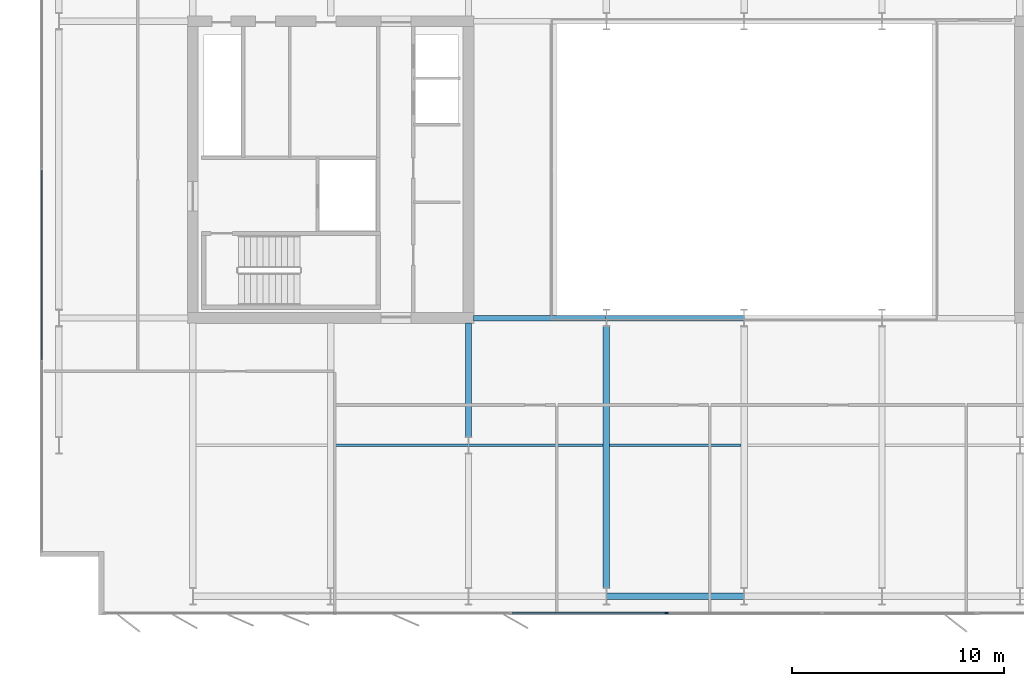
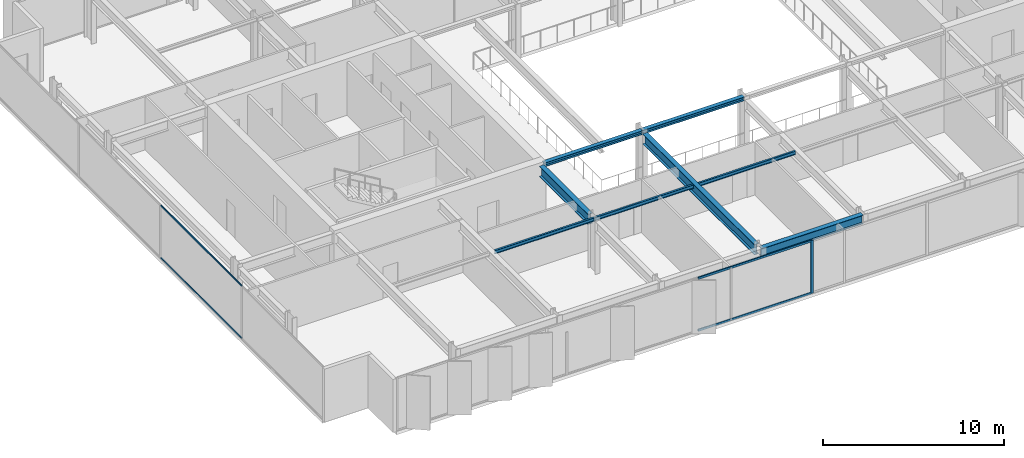
# One storey, part 4 of 23: 8 beams, 5 members, 2 elements without a shape of their own.
"""IFC4 building model written with IfcOpenShell, lengths in metres."""

from ifc_helpers import new_model, si_unit, direction, frame, origin, origin_2d, place, context, subcontext, project, spatial, rectangle, i_section, extrude, material, layer, layer_set, material_profile, profile_set, type_object, element, aggregate, save


model = new_model("IFC4")

# Units and contexts
model_context = context("Model", 3, precision=1e-05, world=origin(), true_north=direction((0.0, 1.0)))
body_context = subcontext(model_context, "Body", "Model", "MODEL_VIEW")
ifc_project = project(units=[si_unit("LENGTHUNIT", "METRE"), si_unit("AREAUNIT", "SQUARE_METRE"), si_unit("VOLUMEUNIT", "CUBIC_METRE"), si_unit("PLANEANGLEUNIT", "RADIAN"), si_unit("MASSUNIT", "GRAM", prefix="KILO")], contexts=[model_context])

# Site, building, storey
site_placement = place(None, origin())
site = spatial("IfcSite", under=ifc_project, at=site_placement, CompositionType="ELEMENT")
building_placement = place(site_placement, origin())
building = spatial("IfcBuilding", under=site, at=building_placement, Name="Putna Gate Headquarters", CompositionType="ELEMENT")
storey_placement = place(building_placement, frame((0.0, 0.0, 210.0)))
storey = spatial("IfcBuildingStorey", under=building, at=storey_placement, Name="L52", CompositionType="ELEMENT", Elevation=210.0)

# Beams
ifc_material_1 = material(Name="Steel S355J2", Category="steel")
ifc_material_profile_1 = material_profile(ifc_material_1, i_section(OverallWidth=0.260009765625, OverallDepth=0.260009765625, WebThickness=0.010009765625, FlangeThickness=0.017578125, at=origin_2d()), Name="Steel S355J2")
ifc_profile_set_1 = profile_set([ifc_material_profile_1], Name="Steel S355J2")
beam_type_1 = type_object("IfcBeamType", Name="BM-ATRIUM-HEB260", PredefinedType="BEAM", material=ifc_profile_set_1)
beam_1_placement = place(storey_placement, frame((26.235107421875, 19.0, 3.449951171875), z_axis=(1.0, 0.0, 0.0), x_axis=(0.0, 1.0, 0.0)))
element("IfcBeam", 1, at=beam_1_placement, inside=storey, type_object=beam_type_1, Name="L52 Atrium Edge Beam AS1", PredefinedType="BEAM", context=body_context, shape_type="SweptSolid", body=[
    extrude(i_section(OverallWidth=0.260009765625, OverallDepth=0.260009765625, WebThickness=0.010009765625, FlangeThickness=0.017578125, at=origin_2d()), origin(), (0.0, 0.0, 1.0), 6.2587890625),
])
beam_2_placement = place(storey_placement, frame((32.506103515625, 19.0, 3.449951171875), z_axis=(1.0, 0.0, 0.0), x_axis=(0.0, 1.0, 0.0)))
element("IfcBeam", 2, at=beam_2_placement, inside=storey, type_object=beam_type_1, Name="L52 Atrium Edge Beam AS2", PredefinedType="BEAM", context=body_context, shape_type="SweptSolid", body=[
    extrude(i_section(OverallWidth=0.260009765625, OverallDepth=0.260009765625, WebThickness=0.010009765625, FlangeThickness=0.017578125, at=origin_2d()), origin(), (0.0, 0.0, 1.0), 6.48779296875),
])
ifc_material_profile_2 = material_profile(ifc_material_1, i_section(OverallWidth=0.300048828125, OverallDepth=0.699951171875, WebThickness=0.01708984375, FlangeThickness=0.031982421875, at=origin_2d()), Name="Steel S355J2")
ifc_profile_set_2 = profile_set([ifc_material_profile_2], Name="Steel S355J2")
beam_type_2 = type_object("IfcBeamType", Name="BM-GIRD-B-HEB700", PredefinedType="USERDEFINED", material=ifc_profile_set_2)
beam_3_placement = place(storey_placement, frame((26.0, 13.39501953125, 3.22998046875), z_axis=(0.0, 1.0, 0.0), x_axis=(-1.0, 0.0, 0.0)))
element("IfcBeam", 3, at=beam_3_placement, inside=storey, type_object=beam_type_2, Name="L52 South Primary Girder X26-2", ObjectType="GIRDER", PredefinedType="USERDEFINED", context=body_context, shape_type="SweptSolid", body=[
    extrude(i_section(OverallWidth=0.300048828125, OverallDepth=0.699951171875, WebThickness=0.01708984375, FlangeThickness=0.031982421875, at=origin_2d()), origin(), (0.0, 0.0, 1.0), 5.369873046875),
])
beam_4_placement = place(storey_placement, frame((32.5, 6.27490234375, 3.22998046875), z_axis=(0.0, 1.0, 0.0), x_axis=(-1.0, 0.0, 0.0)))
element("IfcBeam", 4, at=beam_4_placement, inside=storey, type_object=beam_type_2, Name="L52 South Primary Girder X32", ObjectType="GIRDER", PredefinedType="USERDEFINED", context=body_context, shape_type="SweptSolid", body=[
    extrude(i_section(OverallWidth=0.300048828125, OverallDepth=0.699951171875, WebThickness=0.01708984375, FlangeThickness=0.031982421875, at=origin_2d()), origin(), (0.0, 0.0, 1.0), 12.330078125),
])
ifc_material_profile_3 = material_profile(ifc_material_1, i_section(OverallWidth=0.1201171875, OverallDepth=0.239990234375, WebThickness=0.006103515625, FlangeThickness=0.009765625, at=origin_2d()), Name="Steel S355J2")
ifc_profile_set_3 = profile_set([ifc_material_profile_3], Name="Steel S355J2")
beam_type_3 = type_object("IfcBeamType", Name="BM-SEC-Z4-IPE240", PredefinedType="JOIST", material=ifc_profile_set_3)
for number, where, z_axis, x_axis, name in (
    (5, (19.654052734375, 13.0, 3.4599609375), (1.0, 0.0, 0.0), (0.0, 1.0, 0.0), "L52 South Secondary Beam 2"),
    (6, (26.006103515625, 13.0, 3.4599609375), (1.0, 0.0, 0.0), (0.0, 1.0, 0.0), "L52 South Secondary Beam 3"),
):
    element("IfcBeam", number, at=place(storey_placement, frame(where, z_axis=z_axis, x_axis=x_axis)), inside=storey, type_object=beam_type_3, Name=name, PredefinedType="JOIST", context=body_context, shape_type="SweptSolid", body=[
        extrude(i_section(OverallWidth=0.1201171875, OverallDepth=0.239990234375, WebThickness=0.006103515625, FlangeThickness=0.009765625, at=origin_2d()), origin(), (0.0, 0.0, 1.0), 6.33984375),
    ])
beam_5_placement = place(storey_placement, frame((32.654052734375, 13.0, 3.4599609375), z_axis=(1.0, 0.0, 0.0), x_axis=(0.0, 1.0, 0.0)))
element("IfcBeam", 7, at=beam_5_placement, inside=storey, type_object=beam_type_3, Name="L52 South Secondary Beam 4", PredefinedType="JOIST", context=body_context, shape_type="SweptSolid", body=[
    extrude(i_section(OverallWidth=0.1201171875, OverallDepth=0.239990234375, WebThickness=0.006103515625, FlangeThickness=0.009765625, at=origin_2d()), origin(), (0.0, 0.0, 1.0), 6.19189453125),
])
ifc_material_profile_4 = material_profile(ifc_material_1, i_section(OverallWidth=0.300048828125, OverallDepth=0.590087890625, WebThickness=0.012939453125, FlangeThickness=0.02490234375, at=origin_2d()), Name="Steel S355J2")
ifc_profile_set_4 = profile_set([ifc_material_profile_4], Name="Steel S355J2")
beam_type_4 = type_object("IfcBeamType", Name="BM-SPAN-Z4-HEA600", PredefinedType="SPANDREL", material=ifc_profile_set_4)
beam_6_placement = place(storey_placement, frame((32.506103515625, 5.8798828125, 3.284912109375), z_axis=(1.0, 0.0, 0.0), x_axis=(0.0, 1.0, 0.0)))
element("IfcBeam", 8, at=beam_6_placement, inside=storey, type_object=beam_type_4, Name="L52 S Perimeter Spandrel 4", PredefinedType="SPANDREL", context=body_context, shape_type="SweptSolid", body=[
    extrude(i_section(OverallWidth=0.300048828125, OverallDepth=0.590087890625, WebThickness=0.012939453125, FlangeThickness=0.02490234375, at=origin_2d()), origin(), (0.0, 0.0, 1.0), 6.48779296875),
])

# Curtain wall, member
ifc_material_2 = material(Name="Anodised bronze aluminium curtain wall", Category="aluminium")
ifc_layer_1 = layer(ifc_material_2, 0.179931640625)
ifc_layer_set_1 = layer_set([ifc_layer_1], Name="Anodised bronze aluminium curtain wall")
curtain_wall_type_1 = type_object("IfcCurtainWallType", Name="CW-SYS-ATR", PredefinedType="USERDEFINED", material=ifc_layer_set_1)
curtain_wall_1_placement = place(storey_placement, origin())
curtain_wall_1 = element("IfcCurtainWall", 9, at=curtain_wall_1_placement, inside=storey, type_object=curtain_wall_type_1, Name="L52 South Atrium Clear Glazing", ObjectType="ATRIUM GLAZING", PredefinedType="USERDEFINED")
ifc_material_3 = material(Name="Anodised bronze aluminium EN AW-6060", Category="aluminium")
ifc_material_profile_5 = material_profile(ifc_material_3, rectangle(XDim=0.070068359375, YDim=0.179931640625, at=origin_2d()), Name="Anodised bronze aluminium EN AW-6060")
ifc_profile_set_5 = profile_set([ifc_material_profile_5], Name="Anodised bronze aluminium EN AW-6060")
member_type_1 = type_object("IfcMemberType", Name="MULL-CWM-AT", PredefinedType="MULLION", material=ifc_profile_set_5)
member_1_placement = place(storey_placement, frame((35.333251953125, 5.080078125, 0.0), z_axis=(0.0, 0.0, 1.0), x_axis=(0.0, 1.0, 0.0)))
member_1 = element("IfcMember", 10, at=member_1_placement, type_object=member_type_1, Name="CWS-AT mullion 2", PredefinedType="MULLION", context=body_context, shape_type="SweptSolid", body=[
    extrude(rectangle(XDim=0.070068359375, YDim=0.179931640625, at=origin_2d()), origin(), (0.0, 0.0, 1.0), 3.580078125),
])

# Curtain wall, members
ifc_layer_2 = layer(ifc_material_2, 0.139892578125)
ifc_layer_set_2 = layer_set([ifc_layer_2], Name="Anodised bronze aluminium curtain wall")
curtain_wall_type_2 = type_object("IfcCurtainWallType", Name="CW-SYS-Z4", PredefinedType="USERDEFINED", material=ifc_layer_set_2)
curtain_wall_2_placement = place(storey_placement, origin())
curtain_wall_2 = element("IfcCurtainWall", 11, at=curtain_wall_2_placement, inside=storey, type_object=curtain_wall_type_2, Name="L52 West Curtain Wall", ObjectType="STICK CURTAIN WALL", PredefinedType="USERDEFINED")
ifc_material_profile_6 = material_profile(ifc_material_3, rectangle(XDim=0.06005859375, YDim=0.10009765625, at=origin_2d()), Name="Anodised bronze aluminium EN AW-6060")
ifc_profile_set_6 = profile_set([ifc_material_profile_6], Name="Anodised bronze aluminium EN AW-6060")
member_type_2 = type_object("IfcMemberType", Name="TRAN-CWT-4", PredefinedType="USERDEFINED", material=ifc_profile_set_6)
member_2_placement = place(storey_placement, frame((5.8798828125, 17.030029296875, 0.030029296875), z_axis=(0.0, 1.0, 0.0), x_axis=(-1.0, 0.0, 0.0)))
member_2 = element("IfcMember", 12, at=member_2_placement, type_object=member_type_2, Name="CWS-4 transom 2.1", ObjectType="TRANSOM", PredefinedType="USERDEFINED", context=body_context, shape_type="SweptSolid", body=[
    extrude(rectangle(XDim=0.06005859375, YDim=0.10009765625, at=origin_2d()), origin(), (0.0, 0.0, 1.0), 8.93994140625),
])
member_3_placement = place(storey_placement, frame((5.8798828125, 17.030029296875, 3.550048828125), z_axis=(0.0, 1.0, 0.0), x_axis=(-1.0, 0.0, 0.0)))
member_3 = element("IfcMember", 13, at=member_3_placement, type_object=member_type_2, Name="CWS-4 transom 2.2", ObjectType="TRANSOM", PredefinedType="USERDEFINED", context=body_context, shape_type="SweptSolid", body=[
    extrude(rectangle(XDim=0.06005859375, YDim=0.10009765625, at=origin_2d()), origin(), (0.0, 0.0, 1.0), 8.93994140625),
])
aggregate(curtain_wall_2, [member_2, member_3])

# Member
ifc_material_profile_7 = material_profile(ifc_material_3, rectangle(XDim=0.070068359375, YDim=0.139892578125, at=origin_2d()), Name="Anodised bronze aluminium EN AW-6060")
ifc_profile_set_7 = profile_set([ifc_material_profile_7], Name="Anodised bronze aluminium EN AW-6060")
member_type_3 = type_object("IfcMemberType", Name="TRAN-CWT-AT", PredefinedType="USERDEFINED", material=ifc_profile_set_7)
member_4_placement = place(storey_placement, frame((28.070068359375, 5.080078125, 0.034912109375), z_axis=(1.0, 0.0, 0.0), x_axis=(0.0, 1.0, 0.0)))
member_4 = element("IfcMember", 14, at=member_4_placement, type_object=member_type_3, Name="CWS-AT transom 1.1", ObjectType="TRANSOM", PredefinedType="USERDEFINED", context=body_context, shape_type="SweptSolid", body=[
    extrude(rectangle(XDim=0.070068359375, YDim=0.139892578125, at=origin_2d()), origin(), (0.0, 0.0, 1.0), 7.228271484375),
])

member_5_placement = place(storey_placement, frame((28.070068359375, 5.080078125, 3.544921875), z_axis=(1.0, 0.0, 0.0), x_axis=(0.0, 1.0, 0.0)))
member_5 = element("IfcMember", 15, at=member_5_placement, type_object=member_type_3, Name="CWS-AT transom 1.2", ObjectType="TRANSOM", PredefinedType="USERDEFINED", context=body_context, shape_type="SweptSolid", body=[
    extrude(rectangle(XDim=0.070068359375, YDim=0.139892578125, at=origin_2d()), origin(), (0.0, 0.0, 1.0), 7.228271484375),
])

aggregate(curtain_wall_1, [member_1, member_4, member_5])

save(model, "model.ifc")
